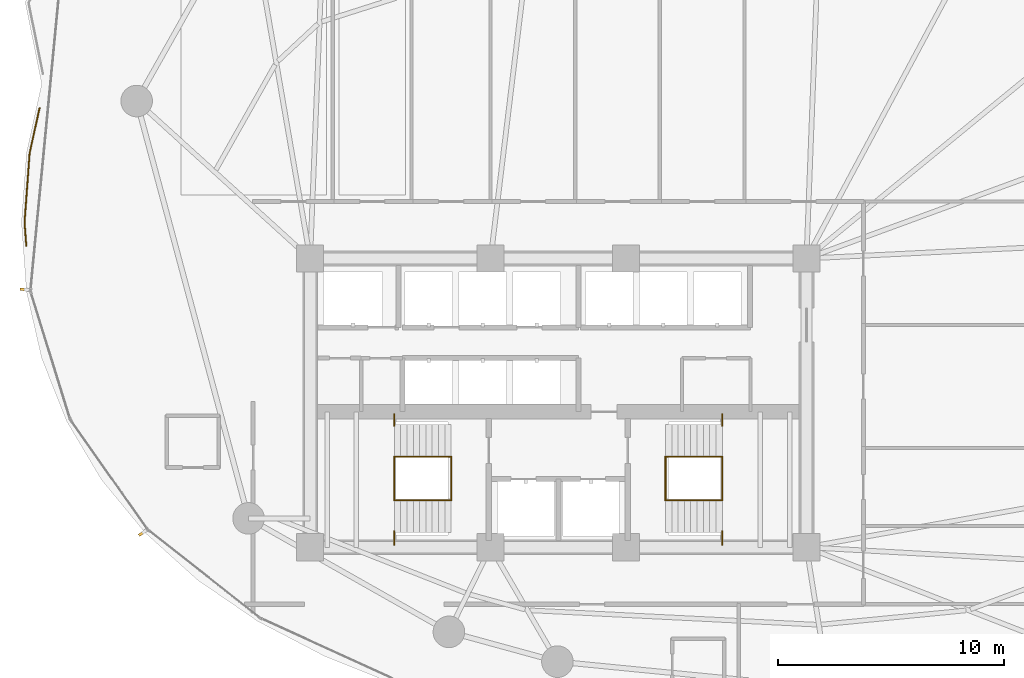
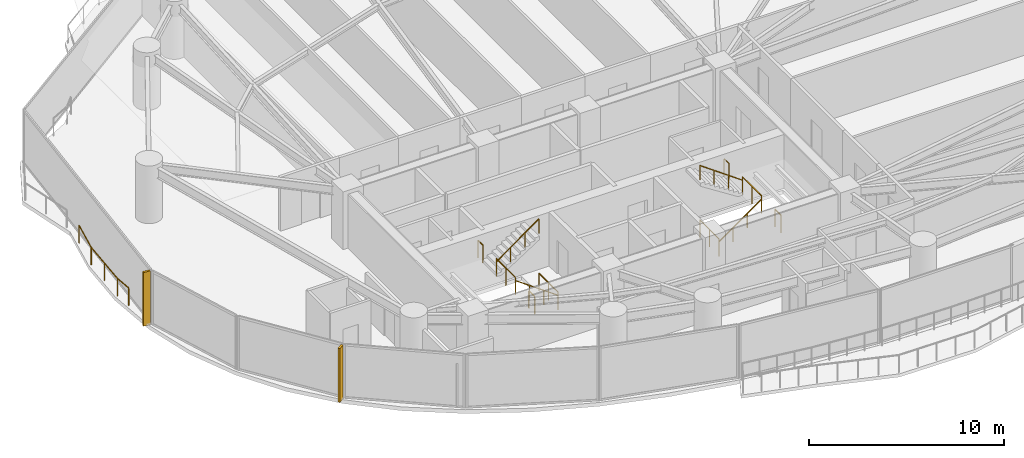
# One storey, part 29 of 31: 13 railings, 2 shading devices.
"""IFC4 building model written with IfcOpenShell, lengths in metres."""

from ifc_helpers import new_model, si_unit, direction, frame, origin, origin_2d, place, context, subcontext, project, spatial, rectangle, extrude, material, type_object, element, save


model = new_model("IFC4")

# Units and contexts
model_context = context("Model", 3, precision=1e-05, world=origin(), true_north=direction((0.0, 1.0)))
body_context = subcontext(model_context, "Body", "Model", "MODEL_VIEW")
ifc_project = project(units=[si_unit("LENGTHUNIT", "METRE"), si_unit("AREAUNIT", "SQUARE_METRE"), si_unit("VOLUMEUNIT", "CUBIC_METRE"), si_unit("PLANEANGLEUNIT", "RADIAN"), si_unit("MASSUNIT", "GRAM", prefix="KILO")], contexts=[model_context])

# Site, building, storey
site_placement = place(None, origin())
site = spatial("IfcSite", under=ifc_project, at=site_placement, CompositionType="ELEMENT")
building_placement = place(site_placement, origin())
building = spatial("IfcBuilding", under=site, at=building_placement, Name="Kazevale Care Tower and Concert Hall", CompositionType="ELEMENT")
storey_placement = place(building_placement, frame((0.0, 0.0, 56.39990234375)))
storey = spatial("IfcBuildingStorey", under=building, at=storey_placement, Name="L14", CompositionType="ELEMENT", Elevation=56.39990234375)

# Railings
ifc_material_1 = material(Name="Anodised Bronze Aluminium and Laminated Glass", Category="aluminium")
railing_type_1 = type_object("IfcRailingType", Name="Balcony and Terrace Balustrade 1120", PredefinedType="BALUSTRADE", material=ifc_material_1)
railing_1_placement = place(storey_placement, frame((9.416015625, 36.968017578125, 0.0)))
element("IfcRailing", 1, at=railing_1_placement, inside=storey, type_object=railing_type_1, Name="rail:L14:perim:1", PredefinedType="BALUSTRADE", context=body_context, shape_type="SweptSolid", body=[
    extrude(rectangle(XDim=0.048095703125, YDim=0.048095703125, at=origin_2d()), frame((0.0, 0.0, 1.09619140625), z_axis=(-0.073376305948, 0.997304325532, 0.0), x_axis=(-0.997304325532, -0.073376305948, 0.0)), (0.0, 0.0, 1.0), 1.03466796875),
    extrude(rectangle(XDim=0.048095703125, YDim=0.048095703125, at=origin_2d()), frame((-0.075927734375, 1.031982421875, 1.09619140625), z_axis=(0.072729345696, 0.997351714429, 0.0), x_axis=(-0.997351714429, 0.072729345696, 0.0)), (0.0, 0.0, 1.0), 3.078125),
    extrude(rectangle(XDim=0.048095703125, YDim=0.048095703125, at=origin_2d()), frame((0.14794921875, 4.10205078125, 1.09619140625), z_axis=(0.215389585979, 0.976528200439, 0.0), x_axis=(-0.976528200439, 0.215389585979, 0.0)), (0.0, 0.0, 1.0), 2.047119140625),
    extrude(rectangle(XDim=0.0419921875, YDim=0.0419921875, at=origin_2d()), origin(), (0.0, 0.0, 1.0), 1.072021484375),
    extrude(rectangle(XDim=0.0419921875, YDim=0.0419921875, at=origin_2d()), frame((-0.075927734375, 1.031982421875, 0.0)), (0.0, 0.0, 1.0), 1.072021484375),
    extrude(rectangle(XDim=0.0419921875, YDim=0.0419921875, at=origin_2d()), frame((0.0361328125, 2.56689453125, 0.0)), (0.0, 0.0, 1.0), 1.072021484375),
    extrude(rectangle(XDim=0.0419921875, YDim=0.0419921875, at=origin_2d()), frame((0.14794921875, 4.10205078125, 0.0)), (0.0, 0.0, 1.0), 1.072021484375),
    extrude(rectangle(XDim=0.0419921875, YDim=0.0419921875, at=origin_2d()), frame((0.5888671875, 6.10107421875, 0.0)), (0.0, 0.0, 1.0), 1.072021484375),
])
ifc_material_2 = material(Name="Stainless Steel 316", Category="steel")
railing_type_2 = type_object("IfcRailingType", Name="Stair Pitch Handrail 920", PredefinedType="HANDRAIL", material=ifc_material_2)
railing_2_placement = place(storey_placement, frame((28.25, 25.679931640625, 0.0)))
element("IfcRailing", 2, at=railing_2_placement, inside=storey, type_object=railing_type_2, Name="stair:L14:ST1:hr1", PredefinedType="HANDRAIL", context=body_context, shape_type="SweptSolid", body=[
    extrude(rectangle(XDim=0.048095703125, YDim=0.048095703125, at=origin_2d()), frame((0.0, 0.0, 0.89599609375), z_axis=(-0.813728144527, 0.0, 0.581245650998), x_axis=(0.0, -1.0, 0.0)), (0.0, 0.0, 1.0), 3.096923828125),
    extrude(rectangle(XDim=0.0419921875, YDim=0.0419921875, at=origin_2d()), origin(), (0.0, 0.0, 1.0), 0.871826171875),
    extrude(rectangle(XDim=0.0419921875, YDim=0.0419921875, at=origin_2d()), frame((-0.840087890625, 0.0, 0.60009765625)), (0.0, 0.0, 1.0), 0.871826171875),
    extrude(rectangle(XDim=0.0419921875, YDim=0.0419921875, at=origin_2d()), frame((-1.679931640625, 0.0, 1.199951171875)), (0.0, 0.0, 1.0), 0.871826171875),
    extrude(rectangle(XDim=0.0419921875, YDim=0.0419921875, at=origin_2d()), frame((-2.52001953125, 0.0, 1.800048828125)), (0.0, 0.0, 1.0), 0.871826171875),
])
for number, where, name in (
    (3, (25.72998046875, 27.6201171875, 1.800048828125), "stair:L14:ST1:hr2"),
    (4, (37.75, 25.679931640625, 0.0), "stair:L14:ST2:hr1"),
):
    element("IfcRailing", number, at=place(storey_placement, frame(where)), inside=storey, type_object=railing_type_2, Name=name, PredefinedType="HANDRAIL", context=body_context, shape_type="SweptSolid", body=[
        extrude(rectangle(XDim=0.048095703125, YDim=0.048095703125, at=origin_2d()), frame((0.0, 0.0, 0.89599609375), z_axis=(0.813728144527, 0.0, 0.581245650998), x_axis=(0.0, 1.0, 0.0)), (0.0, 0.0, 1.0), 3.096923828125),
        extrude(rectangle(XDim=0.0419921875, YDim=0.0419921875, at=origin_2d()), origin(), (0.0, 0.0, 1.0), 0.871826171875),
        extrude(rectangle(XDim=0.0419921875, YDim=0.0419921875, at=origin_2d()), frame((0.840087890625, 0.0, 0.60009765625)), (0.0, 0.0, 1.0), 0.871826171875),
        extrude(rectangle(XDim=0.0419921875, YDim=0.0419921875, at=origin_2d()), frame((1.679931640625, 0.0, 1.199951171875)), (0.0, 0.0, 1.0), 0.871826171875),
        extrude(rectangle(XDim=0.0419921875, YDim=0.0419921875, at=origin_2d()), frame((2.52001953125, 0.0, 1.800048828125)), (0.0, 0.0, 1.0), 0.871826171875),
    ])
railing_3_placement = place(storey_placement, frame((40.27001953125, 27.6201171875, 1.800048828125)))
element("IfcRailing", 5, at=railing_3_placement, inside=storey, type_object=railing_type_2, Name="stair:L14:ST2:hr2", PredefinedType="HANDRAIL", context=body_context, shape_type="SweptSolid", body=[
    extrude(rectangle(XDim=0.048095703125, YDim=0.048095703125, at=origin_2d()), frame((0.0, 0.0, 0.89599609375), z_axis=(-0.813728144527, 0.0, 0.581245650998), x_axis=(0.0, -1.0, 0.0)), (0.0, 0.0, 1.0), 3.096923828125),
    extrude(rectangle(XDim=0.0419921875, YDim=0.0419921875, at=origin_2d()), origin(), (0.0, 0.0, 1.0), 0.871826171875),
    extrude(rectangle(XDim=0.0419921875, YDim=0.0419921875, at=origin_2d()), frame((-0.840087890625, 0.0, 0.60009765625)), (0.0, 0.0, 1.0), 0.871826171875),
    extrude(rectangle(XDim=0.0419921875, YDim=0.0419921875, at=origin_2d()), frame((-1.679931640625, 0.0, 1.199951171875)), (0.0, 0.0, 1.0), 0.871826171875),
    extrude(rectangle(XDim=0.0419921875, YDim=0.0419921875, at=origin_2d()), frame((-2.52001953125, 0.0, 1.800048828125)), (0.0, 0.0, 1.0), 0.871826171875),
])
railing_type_3 = type_object("IfcRailingType", Name="Stair Well Guard Balustrade 1120", PredefinedType="BALUSTRADE", material=ifc_material_2)
railing_4_placement = place(storey_placement, frame((25.72998046875, 23.699951171875, 1.800048828125)))
element("IfcRailing", 6, at=railing_4_placement, inside=storey, type_object=railing_type_3, Name="stair:L14:ST1:grd_side1", PredefinedType="BALUSTRADE", context=body_context, shape_type="SweptSolid", body=[
    extrude(rectangle(XDim=0.048095703125, YDim=0.048095703125, at=origin_2d()), frame((0.0, 0.0, 1.09619140625), z_axis=(0.0, 1.0, 0.0), x_axis=(-1.0, 0.0, 0.0)), (0.0, 0.0, 1.0), 0.610107421875),
    extrude(rectangle(XDim=0.0419921875, YDim=0.0419921875, at=origin_2d()), origin(), (0.0, 0.0, 1.0), 1.072021484375),
    extrude(rectangle(XDim=0.0419921875, YDim=0.0419921875, at=origin_2d()), frame((0.0, 0.610107421875, 0.0)), (0.0, 0.0, 1.0), 1.072021484375),
])
railing_5_placement = place(storey_placement, frame((25.72998046875, 28.989990234375, 1.800048828125)))
element("IfcRailing", 7, at=railing_5_placement, inside=storey, type_object=railing_type_3, Name="stair:L14:ST1:grd_side2", PredefinedType="BALUSTRADE", context=body_context, shape_type="SweptSolid", body=[
    extrude(rectangle(XDim=0.048095703125, YDim=0.048095703125, at=origin_2d()), frame((0.0, 0.0, 1.09619140625), z_axis=(0.0, 1.0, 0.0), x_axis=(-1.0, 0.0, 0.0)), (0.0, 0.0, 1.0), 0.510009765625),
    extrude(rectangle(XDim=0.0419921875, YDim=0.0419921875, at=origin_2d()), origin(), (0.0, 0.0, 1.0), 1.072021484375),
    extrude(rectangle(XDim=0.0419921875, YDim=0.0419921875, at=origin_2d()), frame((0.0, 0.510009765625, 0.0)), (0.0, 0.0, 1.0), 1.072021484375),
])
for number, where, name in (
    (8, (25.72998046875, 25.679931640625, 1.800048828125), "stair:L14:ST1:grd_mid"),
    (9, (28.25, 25.679931640625, 0.0), "stair:L14:ST1:grd_flr"),
):
    element("IfcRailing", number, at=place(storey_placement, frame(where)), inside=storey, type_object=railing_type_3, Name=name, PredefinedType="BALUSTRADE", context=body_context, shape_type="SweptSolid", body=[
        extrude(rectangle(XDim=0.048095703125, YDim=0.048095703125, at=origin_2d()), frame((0.0, 0.0, 1.09619140625), z_axis=(0.0, 1.0, 0.0), x_axis=(-1.0, 0.0, 0.0)), (0.0, 0.0, 1.0), 1.940185546875),
        extrude(rectangle(XDim=0.0419921875, YDim=0.0419921875, at=origin_2d()), origin(), (0.0, 0.0, 1.0), 1.072021484375),
        extrude(rectangle(XDim=0.0419921875, YDim=0.0419921875, at=origin_2d()), frame((0.0, 0.97021484375, 0.0)), (0.0, 0.0, 1.0), 1.072021484375),
        extrude(rectangle(XDim=0.0419921875, YDim=0.0419921875, at=origin_2d()), frame((0.0, 1.940185546875, 0.0)), (0.0, 0.0, 1.0), 1.072021484375),
    ])
railing_6_placement = place(storey_placement, frame((40.27001953125, 23.699951171875, 1.800048828125)))
element("IfcRailing", 10, at=railing_6_placement, inside=storey, type_object=railing_type_3, Name="stair:L14:ST2:grd_side1", PredefinedType="BALUSTRADE", context=body_context, shape_type="SweptSolid", body=[
    extrude(rectangle(XDim=0.048095703125, YDim=0.048095703125, at=origin_2d()), frame((0.0, 0.0, 1.09619140625), z_axis=(0.0, 1.0, 0.0), x_axis=(-1.0, 0.0, 0.0)), (0.0, 0.0, 1.0), 0.610107421875),
    extrude(rectangle(XDim=0.0419921875, YDim=0.0419921875, at=origin_2d()), origin(), (0.0, 0.0, 1.0), 1.072021484375),
    extrude(rectangle(XDim=0.0419921875, YDim=0.0419921875, at=origin_2d()), frame((0.0, 0.610107421875, 0.0)), (0.0, 0.0, 1.0), 1.072021484375),
])
railing_7_placement = place(storey_placement, frame((40.27001953125, 28.989990234375, 1.800048828125)))
element("IfcRailing", 11, at=railing_7_placement, inside=storey, type_object=railing_type_3, Name="stair:L14:ST2:grd_side2", PredefinedType="BALUSTRADE", context=body_context, shape_type="SweptSolid", body=[
    extrude(rectangle(XDim=0.048095703125, YDim=0.048095703125, at=origin_2d()), frame((0.0, 0.0, 1.09619140625), z_axis=(0.0, 1.0, 0.0), x_axis=(-1.0, 0.0, 0.0)), (0.0, 0.0, 1.0), 0.510009765625),
    extrude(rectangle(XDim=0.0419921875, YDim=0.0419921875, at=origin_2d()), origin(), (0.0, 0.0, 1.0), 1.072021484375),
    extrude(rectangle(XDim=0.0419921875, YDim=0.0419921875, at=origin_2d()), frame((0.0, 0.510009765625, 0.0)), (0.0, 0.0, 1.0), 1.072021484375),
])
for number, where, name in (
    (12, (40.27001953125, 25.679931640625, 1.800048828125), "stair:L14:ST2:grd_mid"),
    (13, (37.75, 25.679931640625, 0.0), "stair:L14:ST2:grd_flr"),
):
    element("IfcRailing", number, at=place(storey_placement, frame(where)), inside=storey, type_object=railing_type_3, Name=name, PredefinedType="BALUSTRADE", context=body_context, shape_type="SweptSolid", body=[
        extrude(rectangle(XDim=0.048095703125, YDim=0.048095703125, at=origin_2d()), frame((0.0, 0.0, 1.09619140625), z_axis=(0.0, 1.0, 0.0), x_axis=(-1.0, 0.0, 0.0)), (0.0, 0.0, 1.0), 1.940185546875),
        extrude(rectangle(XDim=0.0419921875, YDim=0.0419921875, at=origin_2d()), origin(), (0.0, 0.0, 1.0), 1.072021484375),
        extrude(rectangle(XDim=0.0419921875, YDim=0.0419921875, at=origin_2d()), frame((0.0, 0.97021484375, 0.0)), (0.0, 0.0, 1.0), 1.072021484375),
        extrude(rectangle(XDim=0.0419921875, YDim=0.0419921875, at=origin_2d()), frame((0.0, 1.940185546875, 0.0)), (0.0, 0.0, 1.0), 1.072021484375),
    ])

# Shading devices
ifc_material_3 = material(Name="Honed Ochre Limestone", Category="masonry")
shading_device_type = type_object("IfcShadingDeviceType", Name="Vertical Honed Limestone Fin FIN-01", PredefinedType="USERDEFINED", material=ifc_material_3)
for number, where, z_axis, x_axis, name in (
    (14, (14.5693359375, 24.23779296875, 0.0), (0.0, 0.0, 1.0), (-0.817547124842, -0.575861700985, 0.0), "cw:L14:f11:fin"),
    (15, (9.3330078125, 35.0244140625, 0.0), (0.0, 0.0, 1.0), (-0.995379454967, 0.09601948047, 0.0), "cw:L14:f13:fin"),
):
    element("IfcShadingDevice", number, at=place(storey_placement, frame(where, z_axis=z_axis, x_axis=x_axis)), inside=storey, type_object=shading_device_type, Name=name, ObjectType="FIN", PredefinedType="USERDEFINED", context=body_context, shape_type="SweptSolid", body=[
        extrude(rectangle(XDim=0.3798828125, YDim=0.1201171875, at=origin_2d()), origin(), (0.0, 0.0, 1.0), 3.360107421875),
    ])

save(model, "model.ifc")
